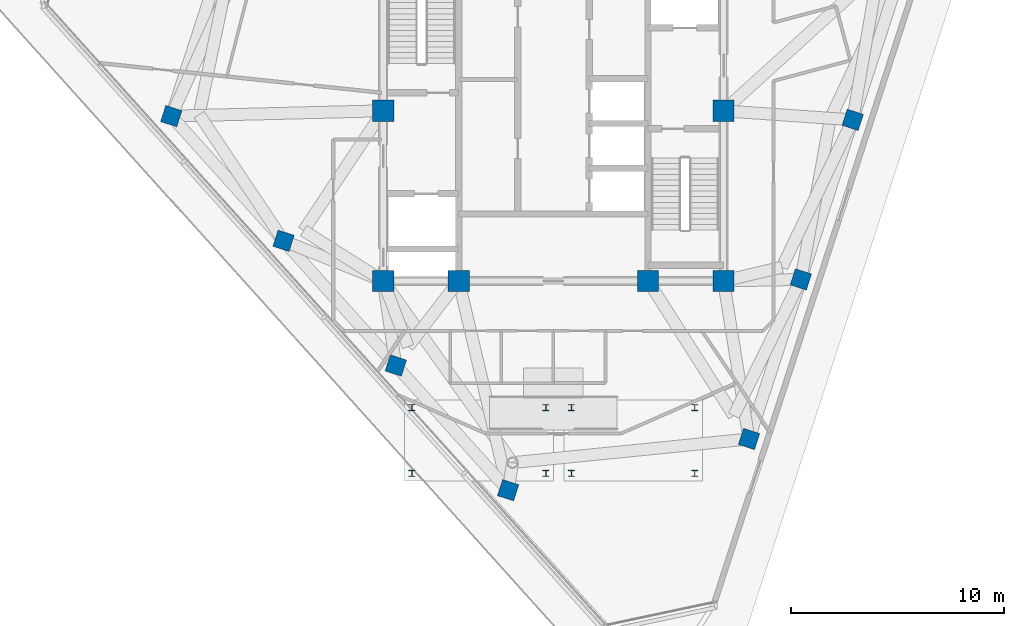
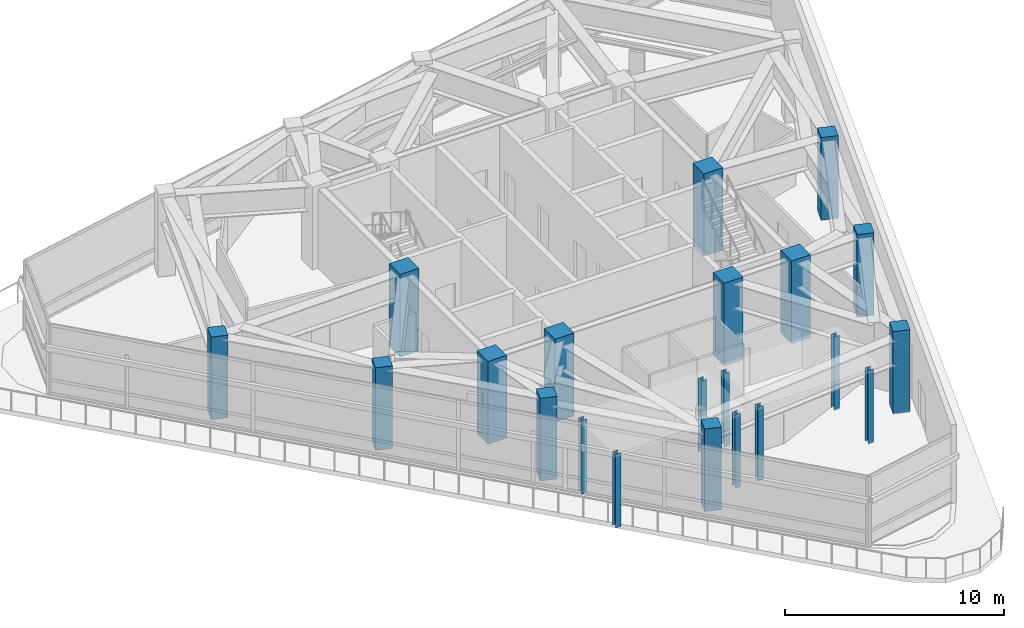
# One storey, part 1 of 15: 21 columns.
"""IFC4 building model written with IfcOpenShell, lengths in metres."""

from ifc_helpers import new_model, si_unit, direction, frame, origin, origin_2d, place, context, subcontext, project, spatial, rectangle, i_section, extrude, material, material_profile, profile_set, type_object, element, save


model = new_model("IFC4")

# Units and contexts
model_context = context("Model", 3, precision=1e-05, world=origin(), true_north=direction((0.0, 1.0)))
body_context = subcontext(model_context, "Body", "Model", "MODEL_VIEW")
ifc_project = project(units=[si_unit("LENGTHUNIT", "METRE"), si_unit("AREAUNIT", "SQUARE_METRE"), si_unit("VOLUMEUNIT", "CUBIC_METRE"), si_unit("PLANEANGLEUNIT", "RADIAN"), si_unit("MASSUNIT", "GRAM", prefix="KILO")], contexts=[model_context])

# Site, building, storey
site_placement = place(None, origin())
site = spatial("IfcSite", under=ifc_project, at=site_placement, CompositionType="ELEMENT")
building_placement = place(site_placement, origin())
building = spatial("IfcBuilding", under=site, at=building_placement, Name="Terralouvre Media Tower", CompositionType="ELEMENT")
storey_placement = place(building_placement, frame((0.0, 0.0, 312.800048828125)))
storey = spatial("IfcBuildingStorey", under=building, at=storey_placement, Name="L81", CompositionType="ELEMENT", Elevation=312.800048828125)

# Columns
ifc_material_1 = material(Name="Structural steel S355J2", Category="steel")
ifc_material_profile_1 = material_profile(ifc_material_1, i_section(OverallWidth=0.280029296875, OverallDepth=0.280029296875, WebThickness=0.010498046875, FlangeThickness=0.01806640625, at=origin_2d()), Name="HEB 280")
ifc_profile_set_1 = profile_set([ifc_material_profile_1], Name="Structural steel S355J2")
column_type_1 = type_object("IfcColumnType", Name="Basement Aisle Pilaster PL-HEB280 (HEB 280)", PredefinedType="PILASTER", material=ifc_profile_set_1)
for number, where, z_axis, x_axis, name in (
    (1, (-6.64990234375, -17.050048828125, 0.0), (0.0, 0.0, 1.0), (1.0, 0.0, 0.0), "Crown Terrace Pergola Canopy West Support Post 1"),
    (2, (-0.35009765625, -17.050048828125, 0.0), (0.0, 0.0, 1.0), (1.0, 0.0, 0.0), "Crown Terrace Pergola Canopy West Support Post 2"),
    (3, (-0.35009765625, -13.949951171875, 0.0), (0.0, 0.0, 1.0), (1.0, 0.0, 0.0), "Crown Terrace Pergola Canopy West Support Post 3"),
    (4, (-6.64990234375, -13.949951171875, 0.0), (0.0, 0.0, 1.0), (1.0, 0.0, 0.0), "Crown Terrace Pergola Canopy West Support Post 4"),
    (5, (0.85009765625, -17.050048828125, 0.0), (0.0, 0.0, 1.0), (1.0, 0.0, 0.0), "Crown Terrace Pergola Canopy East Support Post 1"),
    (6, (6.64990234375, -17.050048828125, 0.0), (0.0, 0.0, 1.0), (1.0, 0.0, 0.0), "Crown Terrace Pergola Canopy East Support Post 2"),
    (7, (6.64990234375, -13.949951171875, 0.0), (0.0, 0.0, 1.0), (1.0, 0.0, 0.0), "Crown Terrace Pergola Canopy East Support Post 3"),
    (8, (0.85009765625, -13.949951171875, 0.0), (0.0, 0.0, 1.0), (1.0, 0.0, 0.0), "Crown Terrace Pergola Canopy East Support Post 4"),
):
    element("IfcColumn", number, at=place(storey_placement, frame(where, z_axis=z_axis, x_axis=x_axis)), inside=storey, type_object=column_type_1, Name=name, PredefinedType="PILASTER", context=body_context, shape_type="SweptSolid", body=[
        extrude(i_section(OverallWidth=0.280029296875, OverallDepth=0.280029296875, WebThickness=0.010498046875, FlangeThickness=0.01806640625, at=origin_2d()), origin(), (0.0, 0.0, 1.0), 4.099853515625),
    ])
ifc_material_2 = material(Name="Concrete C50/60", Category="concrete")
ifc_material_profile_2 = material_profile(ifc_material_2, rectangle(XDim=1.0, YDim=1.0, at=origin_2d()), Name="RC 1000x1000")
ifc_profile_set_2 = profile_set([ifc_material_profile_2], Name="Concrete C50/60")
column_type_2 = type_object("IfcColumnType", Name="Structural Column C-RC1000 (RC 1000x1000)", PredefinedType="COLUMN", material=ifc_profile_set_2)
for number, where, z_axis, x_axis, name in (
    (9, (-8.0, -8.0, 0.0), (0.0, 0.0, 1.0), (1.0, 0.0, 0.0), "L81 Core Pilaster Column CP1"),
    (10, (-4.449951171875, -8.0, 0.0), (0.0, 0.0, 1.0), (1.0, 0.0, 0.0), "L81 Core Pilaster Column CP2"),
    (11, (4.449951171875, -8.0, 0.0), (0.0, 0.0, 1.0), (1.0, 0.0, 0.0), "L81 Core Pilaster Column CP10"),
    (12, (8.0, -8.0, 0.0), (0.0, 0.0, 1.0), (1.0, 0.0, 0.0), "L81 Core Pilaster Column CP3"),
    (13, (8.0, 0.0, 0.0), (0.0, 0.0, 1.0), (1.0, 0.0, 0.0), "L81 Core Pilaster Column CP4"),
    (14, (-8.0, 0.0, 0.0), (0.0, 0.0, 1.0), (1.0, 0.0, 0.0), "L81 Core Pilaster Column CP8"),
):
    element("IfcColumn", number, at=place(storey_placement, frame(where, z_axis=z_axis, x_axis=x_axis)), inside=storey, type_object=column_type_2, Name=name, PredefinedType="COLUMN", context=body_context, shape_type="SweptSolid", body=[
        extrude(rectangle(XDim=1.0, YDim=1.0, at=origin_2d()), origin(), (0.0, 0.0, 1.0), 4.599853515625),
    ])
ifc_material_3 = material(Name="Concrete C50/60", Category="concrete")
ifc_material_profile_3 = material_profile(ifc_material_3, rectangle(XDim=0.800048828125, YDim=0.800048828125, at=origin_2d()), Name="RC 800x800")
ifc_profile_set_3 = profile_set([ifc_material_profile_3], Name="Concrete C50/60")
column_type_3 = type_object("IfcColumnType", Name="Structural Column C-RC800 (RC 800x800)", PredefinedType="COLUMN", material=ifc_profile_set_3)
for number, where, z_axis, x_axis, name in (
    (15, (9.197509765625, -15.429443359375, 0.0), (0.0, 0.0, 1.0), (0.309016994375, 0.951056516295, 0.0), "L81 Perimeter Mega-Column PC11"),
    (16, (11.635009765625, -7.927490234375, 0.0), (0.0, 0.0, 1.0), (0.309016994375, 0.951056516295, 0.0), "L81 Perimeter Mega-Column PC12"),
    (17, (14.072509765625, -0.425537109375, 0.0), (0.0, 0.0, 1.0), (0.309016994375, 0.951056516295, 0.0), "L81 Perimeter Mega-Column PC13"),
    (18, (-17.9609375, -0.250732421875, 0.0), (0.0, 0.0, 1.0), (0.309016994375, 0.951056516295, 0.0), "L81 Perimeter Mega-Column PC31"),
    (19, (-12.682861328125, -6.112548828125, 0.0), (0.0, 0.0, 1.0), (0.309016994375, 0.951056516295, 0.0), "L81 Perimeter Mega-Column PC32"),
    (20, (-7.40478515625, -11.974609375, 0.0), (0.0, 0.0, 1.0), (0.309016994375, 0.951056516295, 0.0), "L81 Perimeter Mega-Column PC33"),
    (21, (-2.126708984375, -17.83642578125, 0.0), (0.0, 0.0, 1.0), (0.309016994375, 0.951056516295, 0.0), "L81 Perimeter Mega-Column PC34"),
):
    element("IfcColumn", number, at=place(storey_placement, frame(where, z_axis=z_axis, x_axis=x_axis)), inside=storey, type_object=column_type_3, Name=name, PredefinedType="COLUMN", context=body_context, shape_type="SweptSolid", body=[
        extrude(rectangle(XDim=0.800048828125, YDim=0.800048828125, at=origin_2d()), origin(), (0.0, 0.0, 1.0), 4.599853515625),
    ])

save(model, "model.ifc")
